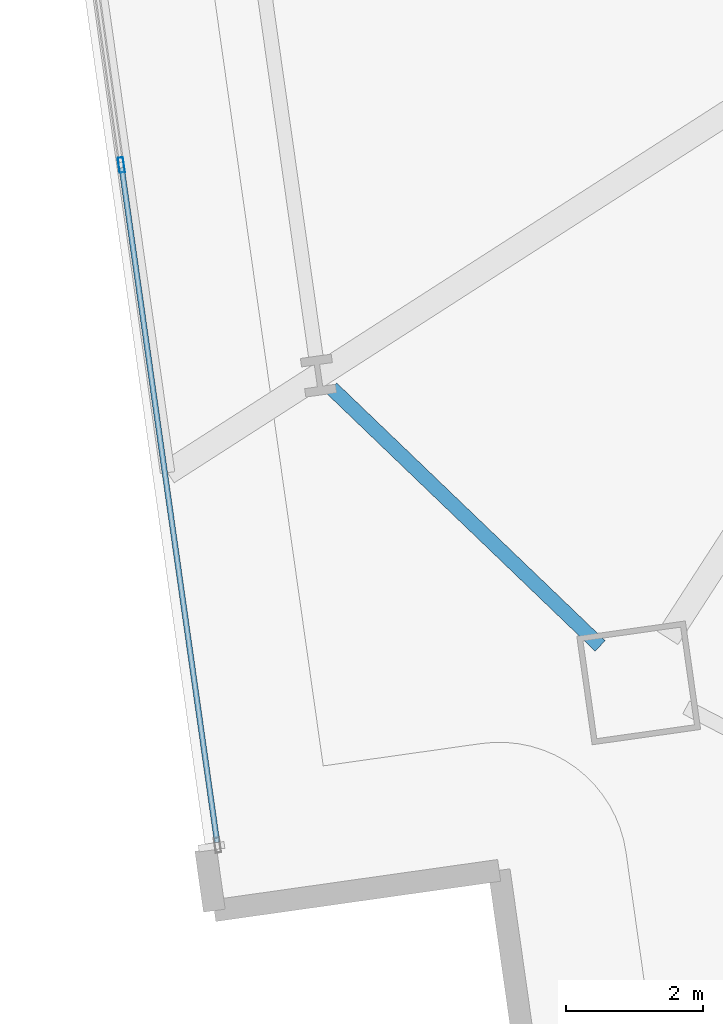
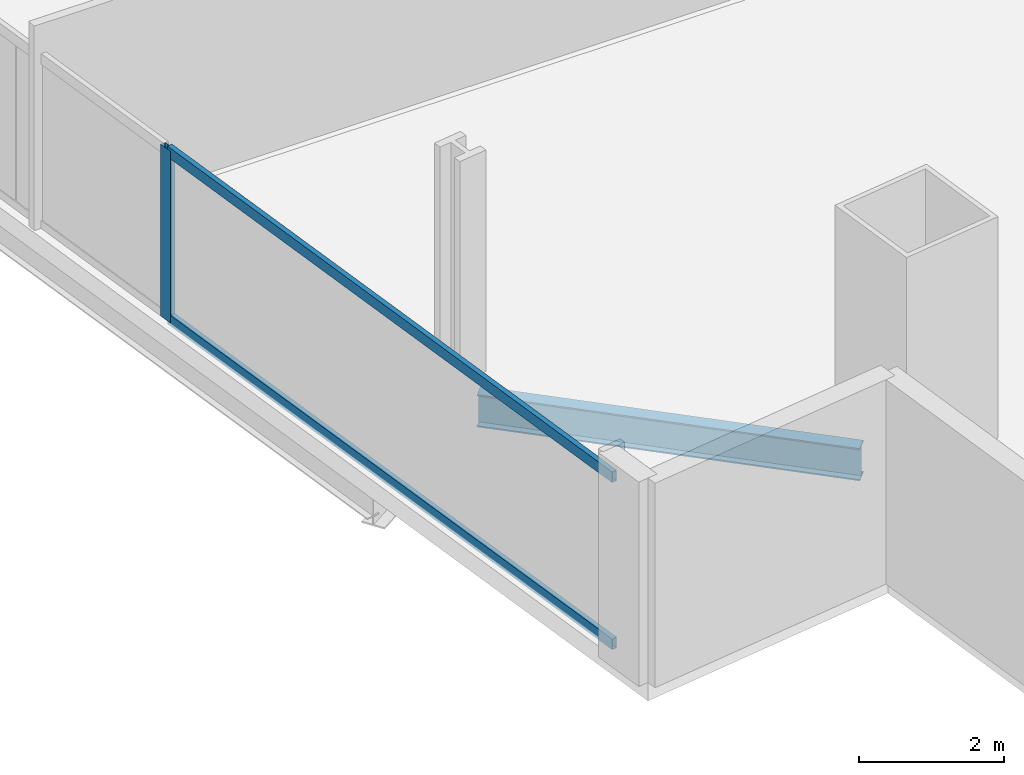
# One storey, part 3 of 33: 3 members, 1 beam, 1 element without a shape of its own.
"""IFC4 building model written with IfcOpenShell, lengths in metres."""

from ifc_helpers import new_model, si_unit, direction, frame, origin, origin_2d, place, context, subcontext, project, spatial, hollow_rectangle, i_section, extrude, material, material_profile, profile_set, type_object, element, aggregate, save


model = new_model("IFC4")

# Units and contexts
model_context = context("Model", 3, precision=1e-05, world=origin(), true_north=direction((0.0, 1.0)))
body_context = subcontext(model_context, "Body", "Model", "MODEL_VIEW")
ifc_project = project(units=[si_unit("LENGTHUNIT", "METRE"), si_unit("AREAUNIT", "SQUARE_METRE"), si_unit("VOLUMEUNIT", "CUBIC_METRE"), si_unit("PLANEANGLEUNIT", "RADIAN"), si_unit("MASSUNIT", "GRAM", prefix="KILO")], contexts=[model_context])

# Site, building, storey
site_placement = place(None, origin())
site = spatial("IfcSite", under=ifc_project, at=site_placement, CompositionType="ELEMENT")
building_placement = place(site_placement, origin())
building = spatial("IfcBuilding", under=site, at=building_placement, Name="Haldenkirk Collegiate Tower", CompositionType="ELEMENT")
storey_placement = place(building_placement, frame((0.0, 0.0, 55.199951171875)))
storey = spatial("IfcBuildingStorey", under=building, at=storey_placement, Name="L12", CompositionType="ELEMENT", Elevation=55.199951171875)

# Beam
ifc_material_1 = material(Name="Steel ASTM A992 Grade 50", Category="steel")
ifc_material_profile_1 = material_profile(ifc_material_1, i_section(OverallWidth=0.2119140625, OverallDepth=0.5439453125, WebThickness=0.01318359375, FlangeThickness=0.021240234375, at=origin_2d()), Name="W21X83")
ifc_profile_set_1 = profile_set([ifc_material_profile_1], Name="Steel ASTM A992 Grade 50")
beam_type = type_object("IfcBeamType", Name="BM-SPANDREL-W21X83", PredefinedType="SPANDREL", material=ifc_profile_set_1)
beam_placement = place(storey_placement, frame((14.212890625, 9.47412109375, -0.58203125), z_axis=(0.721492362326, -0.692422393561, 0.0), x_axis=(0.692422393561, 0.721492362326, 0.0)))
element("IfcBeam", 1, at=beam_placement, inside=storey, type_object=beam_type, Name="L12 perimeter spandrel beam 16", PredefinedType="SPANDREL", context=body_context, shape_type="SweptSolid", body=[
    extrude(i_section(OverallWidth=0.2119140625, OverallDepth=0.5439453125, WebThickness=0.01318359375, FlangeThickness=0.021240234375, at=origin_2d()), origin(), (0.0, 0.0, 1.0), 5.433837890625),
])

# Curtain wall, members
ifc_material_2 = material(Name="Anodised architectural bronze aluminium", Category="aluminium")
curtain_wall_type = type_object("IfcCurtainWallType", Name="CW-SYS1-CONVEX-LOW", PredefinedType="USERDEFINED", material=ifc_material_2)
curtain_wall_placement = place(storey_placement, origin())
curtain_wall = element("IfcCurtainWall", 2, at=curtain_wall_placement, inside=storey, type_object=curtain_wall_type, Name="L12 Lower tower convex bronze-framed unitised curtain wall", ObjectType="UNITISED CURTAIN WALL", PredefinedType="USERDEFINED")
ifc_material_profile_2 = material_profile(ifc_material_2, hollow_rectangle(XDim=0.080078125, YDim=0.219970703125, WallThickness=0.0048828125, at=origin_2d()), Name="CW-MUL-1A")
ifc_profile_set_2 = profile_set([ifc_material_profile_2], Name="Anodised architectural bronze aluminium")
member_type_1 = type_object("IfcMemberType", Name="CW-MUL-1A", PredefinedType="MULLION", material=ifc_profile_set_2)
member_1_placement = place(storey_placement, frame((11.14306640625, 12.73193359375, 0.0), z_axis=(0.0, 0.0, 1.0), x_axis=(-0.990145921918, -0.140039470541, 0.0)))
member_1 = element("IfcMember", 3, at=member_1_placement, type_object=member_type_1, Name="CW-1A mullion 2", PredefinedType="MULLION", context=body_context, shape_type="SweptSolid", body=[
    extrude(hollow_rectangle(XDim=0.080078125, YDim=0.219970703125, WallThickness=0.0048828125, at=origin_2d()), origin(), (0.0, 0.0, 1.0), 2.89111328125),
])
ifc_material_profile_3 = material_profile(ifc_material_2, hollow_rectangle(XDim=0.080078125, YDim=0.179931640625, WallThickness=0.0048828125, at=origin_2d()), Name="CW-TRN-1A")
ifc_profile_set_3 = profile_set([ifc_material_profile_3], Name="Anodised architectural bronze aluminium")
member_type_2 = type_object("IfcMemberType", Name="CW-TRN-1A", PredefinedType="USERDEFINED", material=ifc_profile_set_3)
member_2_placement = place(storey_placement, frame((12.5419921875, 2.841796875, 0.0400390625), z_axis=(-0.140050410084, 0.990144374642, 0.0), x_axis=(-0.990144374642, -0.140050410084, 0.0)))
member_2 = element("IfcMember", 4, at=member_2_placement, type_object=member_type_2, Name="CW-1A transom 1.1", ObjectType="TRANSOM", PredefinedType="USERDEFINED", context=body_context, shape_type="SweptSolid", body=[
    extrude(hollow_rectangle(XDim=0.080078125, YDim=0.179931640625, WallThickness=0.0048828125, at=origin_2d()), origin(), (0.0, 0.0, 1.0), 9.94873046875),
])
member_3_placement = place(storey_placement, frame((12.5419921875, 2.841796875, 2.85107421875), z_axis=(-0.140050410084, 0.990144374642, 0.0), x_axis=(-0.990144374642, -0.140050410084, 0.0)))
member_3 = element("IfcMember", 5, at=member_3_placement, type_object=member_type_2, Name="CW-1A transom 1.2", ObjectType="TRANSOM", PredefinedType="USERDEFINED", context=body_context, shape_type="SweptSolid", body=[
    extrude(hollow_rectangle(XDim=0.080078125, YDim=0.179931640625, WallThickness=0.0048828125, at=origin_2d()), origin(), (0.0, 0.0, 1.0), 9.94873046875),
])
aggregate(curtain_wall, [member_1, member_2, member_3])

save(model, "model.ifc")
